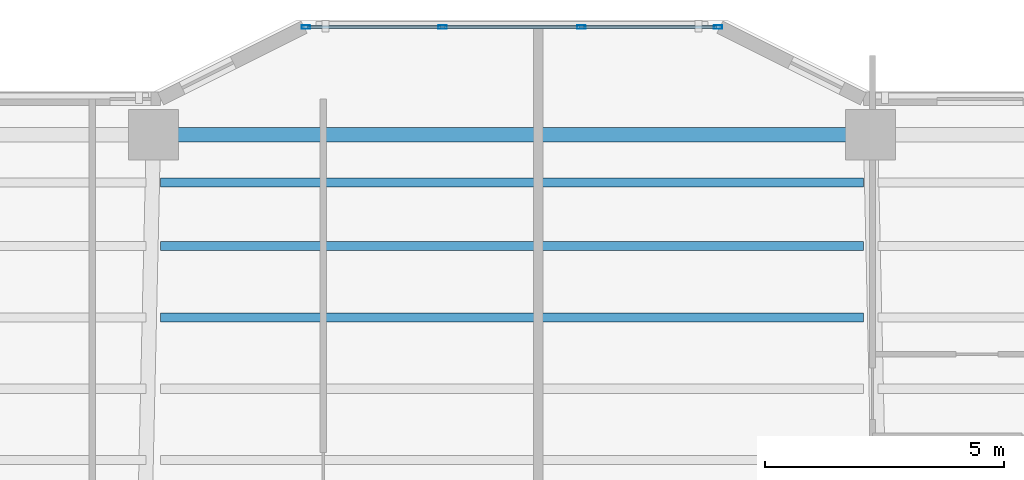
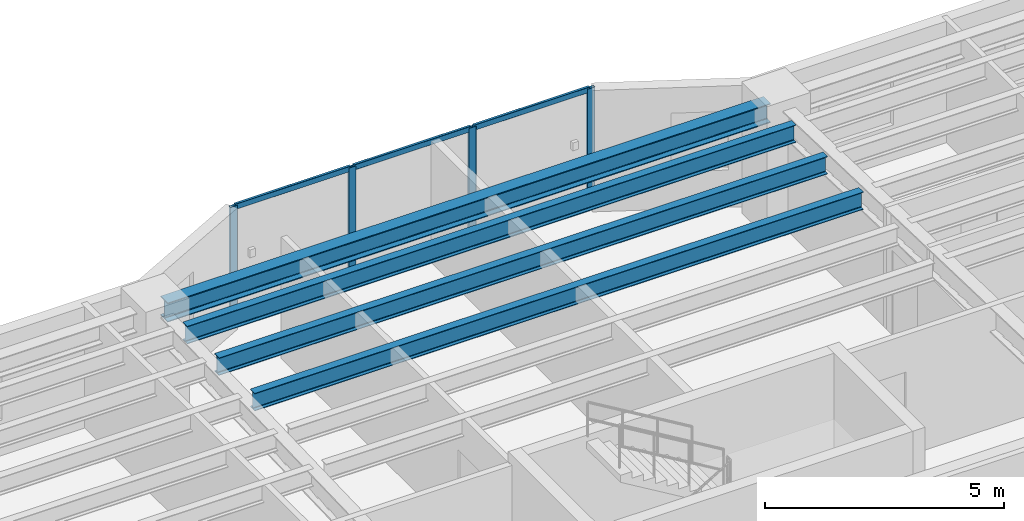
# One storey, part 4 of 18: 10 members, 4 beams, 1 element without a shape of its own.
"""IFC4 building model written with IfcOpenShell, lengths in metres."""

import ifcopenshell
import ifcopenshell.guid

model = None  # the IFC model being written
_history = None  # IfcOwnerHistory: only IFC2X3 demands one
_inside = {}  # id of a spatial element -> (the spatial element, [elements in it])
_under = {}  # id of a project, library or spatial element -> (it, [spatial elements below it])
_declared = {}  # id of a project -> (the project, [libraries it declares])
_typed = {}  # id of a type object -> (the type object, [elements of that type])
_made_of = {}  # id of a material, layer set ... -> (it, [elements and type objects made of it])


def new_model(schema):
    """Start an empty IFC model of exactly this schema.

    Asked for "IFC4X3", IfcOpenShell would pick the latest addendum, in which some entities
    have other attributes; the version numbers below select the first issue.
    IFC2X3 requires an IfcOwnerHistory on every rooted entity: one is made here for all.
    """
    global model, _history
    if schema == "IFC4X3":
        model = ifcopenshell.file(schema_version=(4, 3, 0, 0))
    else:
        model = ifcopenshell.file(schema=schema)
    _inside.clear()
    _under.clear()
    _declared.clear()
    _typed.clear()
    _made_of.clear()
    _history = None
    if model.schema == "IFC2X3":
        org = make("IfcOrganization", Name="unknown")
        user = make(
            "IfcPersonAndOrganization",
            ThePerson=make("IfcPerson", FamilyName="unknown"),
            TheOrganization=org,
        )
        app = make(
            "IfcApplication",
            ApplicationDeveloper=org,
            Version="unknown",
            ApplicationFullName="unknown",
            ApplicationIdentifier="unknown",
        )
        _history = make(
            "IfcOwnerHistory",
            OwningUser=user,
            OwningApplication=app,
            ChangeAction="ADDED",
            CreationDate=0,
        )
    return model


def make(cls, **values):
    """One entity of the class cls with the attributes given. An attribute that is None is left unset."""
    return model.create_entity(
        cls, **{name: value for name, value in values.items() if value is not None}
    )


def rooted(cls, **values):
    """An entity with a GlobalId (a new one), such as an element, a storey or a relation."""
    return make(cls, GlobalId=ifcopenshell.guid.new(), OwnerHistory=_history, **values)


def si_unit(unit_type, name, prefix=None):
    """IfcSIUnit, for example si_unit("LENGTHUNIT", "METRE", prefix="MILLI")."""
    return make("IfcSIUnit", UnitType=unit_type, Prefix=prefix, Name=name)


def assignment(units):
    """IfcUnitAssignment: the units of a project."""
    return None if units is None else make("IfcUnitAssignment", Units=units)


def point(xyz):
    """IfcCartesianPoint."""
    return None if xyz is None else make("IfcCartesianPoint", Coordinates=xyz)


def direction(xyz):
    """IfcDirection."""
    return None if xyz is None else make("IfcDirection", DirectionRatios=xyz)


def frame(location, z_axis=None, x_axis=None):
    """IfcAxis2Placement3D, a coordinate frame: its origin and axes. An axis left out is left unset."""
    return make(
        "IfcAxis2Placement3D",
        Location=point(location),
        Axis=direction(z_axis),
        RefDirection=direction(x_axis),
    )


def frame_2d(location, x_axis=None):
    """IfcAxis2Placement2D, a coordinate frame in the plane: its origin and x axis."""
    return make(
        "IfcAxis2Placement2D", Location=point(location), RefDirection=direction(x_axis)
    )


def origin():
    """The frame at (0, 0, 0) with its axes left unset."""
    return frame((0.0, 0.0, 0.0))


def origin_2d():
    """The frame at (0, 0) in the plane with its x axis left unset."""
    return frame_2d((0.0, 0.0))


def place(relative_to, where):
    """IfcLocalPlacement: puts the frame where relative to a parent placement (None: the world)."""
    return make(
        "IfcLocalPlacement", PlacementRelTo=relative_to, RelativePlacement=where
    )


def context(
    kind, dimensions, precision=None, world=None, true_north=None, identifier=None
):
    """IfcGeometricRepresentationContext, for example the 3D "Model" context."""
    return make(
        "IfcGeometricRepresentationContext",
        ContextIdentifier=identifier,
        ContextType=kind,
        CoordinateSpaceDimension=dimensions,
        Precision=precision,
        WorldCoordinateSystem=world,
        TrueNorth=true_north,
    )


def subcontext(parent, identifier, kind, view, scale=None):
    """IfcGeometricRepresentationSubContext, for example "Body" below "Model"."""
    return make(
        "IfcGeometricRepresentationSubContext",
        ContextIdentifier=identifier,
        ContextType=kind,
        ParentContext=parent,
        TargetScale=scale,
        TargetView=view,
    )


def project(units=None, contexts=None):
    """IfcProject with its units and contexts."""
    return rooted(
        "IfcProject",
        Name="project",
        RepresentationContexts=contexts,
        UnitsInContext=assignment(units),
    )


def spatial(cls, under=None, at=None, **own):
    """A site, building, storey or space (cls), placed at a placement, below another one or the project."""
    s = rooted(cls, ObjectPlacement=at, **own)
    if under is not None:
        _under.setdefault(under.id(), (under, []))[1].append(s)
    return s


def profile(cls, at=None, kind="AREA", **sizes):
    """A parametric profile (cls). Its sizes go by their IFC names, for example OverallWidth=200.0."""
    return make(cls, ProfileType=kind, Position=at, **sizes)


def hollow_rectangle(**sizes):
    """IfcRectangleHollowProfileDef."""
    return profile("IfcRectangleHollowProfileDef", **sizes)


def i_section(**sizes):
    """IfcIShapeProfileDef."""
    return profile("IfcIShapeProfileDef", **sizes)


def extrude(swept, where, along, depth):
    """IfcExtrudedAreaSolid: the profile swept, set in the frame where, extruded along a direction by depth."""
    return make(
        "IfcExtrudedAreaSolid",
        SweptArea=swept,
        Position=where,
        ExtrudedDirection=direction(along),
        Depth=depth,
    )


def shape(context_of_items, identifier, shape_type, items):
    """IfcShapeRepresentation: the items that make up one representation, for example the "Body"."""
    return make(
        "IfcShapeRepresentation",
        ContextOfItems=context_of_items,
        RepresentationIdentifier=identifier,
        RepresentationType=shape_type,
        Items=items,
    )


def material(Name=None, Category=None):
    """IfcMaterial."""
    return make("IfcMaterial", Name=Name, Category=Category)


def layer(
    of_material, thickness, ventilated=None, Name=None, Category=None, Priority=None
):
    """IfcMaterialLayer: one layer of a wall or slab, of a material (None: an air gap)."""
    return make(
        "IfcMaterialLayer",
        Material=of_material,
        LayerThickness=thickness,
        IsVentilated=ventilated,
        Name=Name,
        Category=Category,
        Priority=Priority,
    )


def layer_set(layers, Name=None):
    """IfcMaterialLayerSet."""
    return make("IfcMaterialLayerSet", MaterialLayers=layers, LayerSetName=Name)


def material_profile(
    of_material, cross_section, Name=None, Category=None, Priority=None
):
    """IfcMaterialProfile: a cross section and its material."""
    return make(
        "IfcMaterialProfile",
        Name=Name,
        Material=of_material,
        Profile=cross_section,
        Priority=Priority,
        Category=Category,
    )


def profile_set(profiles, Name=None, composite=None):
    """IfcMaterialProfileSet."""
    return make(
        "IfcMaterialProfileSet",
        Name=Name,
        MaterialProfiles=profiles,
        CompositeProfile=composite,
    )


def made_of(thing, what):
    """Note that an element or type object is made of a material, layer set ...; save() writes the relation."""
    if what is not None:
        _made_of.setdefault(what.id(), (what, []))[1].append(thing)
    return thing


def type_object(cls, material=None, **own):
    """A type object (cls), such as IfcWallType, which elements share."""
    return made_of(rooted(cls, **own), material)


def element(
    cls,
    number,
    at=None,
    inside=None,
    cuts=None,
    type_object=None,
    material=None,
    context=None,
    identifier="Body",
    shape_type=None,
    held_by="IfcProductDefinitionShape",
    body=None,
    shapes=None,
    **own,
):
    """One element of the class cls, such as IfcWall. Its Tag is "e" and its number.

    at: its placement. inside: the storey or other place that contains it. cuts: it is an
    opening in that element (IfcRelVoidsElement). A single representation is given by context,
    identifier, shape_type and body (its items); several are given by shapes. held_by: the class
    of the entity that holds the representations. save() writes the other relations.
    """
    e = rooted(cls, Tag="e%d" % number, ObjectPlacement=at, **own)
    if body is not None:
        shapes = [shape(context, identifier, shape_type, body)]
    if shapes is not None:
        e.Representation = make(held_by, Representations=shapes)
    if inside is not None:
        _inside.setdefault(inside.id(), (inside, []))[1].append(e)
    if cuts is not None:
        rooted(
            "IfcRelVoidsElement", RelatingBuildingElement=cuts, RelatedOpeningElement=e
        )
    if type_object is not None:
        _typed.setdefault(type_object.id(), (type_object, []))[1].append(e)
    return made_of(e, material)


def aggregate(whole, parts):
    """IfcRelAggregates: a whole, such as a stair, and the parts it consists of."""
    return rooted("IfcRelAggregates", RelatingObject=whole, RelatedObjects=parts)


def save(model, path):
    """Write the relations noted so far, then the file.

    IfcRelAggregates (storeys below a building ...), IfcRelContainedInSpatialStructure (elements
    in a storey), IfcRelDefinesByType, IfcRelAssociatesMaterial and IfcRelDeclares: one each for
    every whole, place, type object, material and project.
    """
    for whole, parts in _under.values():
        aggregate(whole, parts)
    for where, things in _inside.values():
        rooted(
            "IfcRelContainedInSpatialStructure",
            RelatedElements=things,
            RelatingStructure=where,
        )
    for kind, things in _typed.values():
        rooted("IfcRelDefinesByType", RelatedObjects=things, RelatingType=kind)
    for what, things in _made_of.values():
        rooted("IfcRelAssociatesMaterial", RelatedObjects=things, RelatingMaterial=what)
    for by, libraries in _declared.values():
        rooted("IfcRelDeclares", RelatingContext=by, RelatedDefinitions=libraries)
    model.write(path)


model = new_model("IFC4")

# Units and contexts
model_context = context("Model", 3, precision=1e-05, world=origin(), true_north=direction((0.0, 1.0)))
body_context = subcontext(model_context, "Body", "Model", "MODEL_VIEW")
ifc_project = project(units=[si_unit("LENGTHUNIT", "METRE"), si_unit("AREAUNIT", "SQUARE_METRE"), si_unit("VOLUMEUNIT", "CUBIC_METRE"), si_unit("PLANEANGLEUNIT", "RADIAN"), si_unit("MASSUNIT", "GRAM", prefix="KILO")], contexts=[model_context])

# Site, building, storey
site_placement = place(None, origin())
site = spatial("IfcSite", under=ifc_project, at=site_placement, CompositionType="ELEMENT")
building_placement = place(site_placement, origin())
building = spatial("IfcBuilding", under=site, at=building_placement, Name="Tarnavaz Court Tower", CompositionType="ELEMENT")
storey_placement = place(building_placement, frame((0.0, 0.0, 88.35009765625)))
storey = spatial("IfcBuildingStorey", under=building, at=storey_placement, Name="L23", CompositionType="ELEMENT", Elevation=88.35009765625)

# Beams
ifc_material_1 = material(Name="Steel S355", Category="steel")
ifc_material_profile_1 = material_profile(ifc_material_1, i_section(OverallWidth=0.18994140625, OverallDepth=0.449951171875, WebThickness=0.009521484375, FlangeThickness=0.0146484375, FilletRadius=0.02099609375, at=origin_2d()), Name="IPE 450")
ifc_profile_set_1 = profile_set([ifc_material_profile_1], Name="Steel S355")
beam_type_1 = type_object("IfcBeamType", Name="BM-J-IPE450", PredefinedType="JOIST", material=ifc_profile_set_1)
for number, where, z_axis, x_axis, name in (
    (1, (-7.35009765625, 17.48193359375, 2.875), (1.0, 0.0, 0.0), (0.0, 1.0, 0.0), "L23 Beam JN3-2"),
    (2, (-7.35009765625, 18.97607421875, 2.875), (1.0, 0.0, 0.0), (0.0, 1.0, 0.0), "L23 Beam JN4-2"),
    (3, (-7.35009765625, 20.303955078125, 2.875), (1.0, 0.0, 0.0), (0.0, 1.0, 0.0), "L23 Beam JN5-2"),
):
    element("IfcBeam", number, at=place(storey_placement, frame(where, z_axis=z_axis, x_axis=x_axis)), inside=storey, type_object=beam_type_1, Name=name, PredefinedType="JOIST", context=body_context, shape_type="SweptSolid", body=[
        extrude(i_section(OverallWidth=0.18994140625, OverallDepth=0.449951171875, WebThickness=0.009521484375, FlangeThickness=0.0146484375, FilletRadius=0.02099609375, at=origin_2d()), origin(), (0.0, 0.0, 1.0), 14.7001953125),
    ])
ifc_material_profile_2 = material_profile(ifc_material_1, i_section(OverallWidth=0.300048828125, OverallDepth=0.489990234375, WebThickness=0.011962890625, FlangeThickness=0.02294921875, FilletRadius=0.027099609375, at=origin_2d()), Name="HEA 500")
ifc_profile_set_2 = profile_set([ifc_material_profile_2], Name="Steel S355")
beam_type_2 = type_object("IfcBeamType", Name="BM-SP-HEA500", PredefinedType="SPANDREL", material=ifc_profile_set_2)
beam_placement = place(storey_placement, frame((-7.280029296875, 21.300048828125, 2.85498046875), z_axis=(1.0, 0.0, 0.0), x_axis=(0.0, 1.0, 0.0)))
element("IfcBeam", 4, at=beam_placement, inside=storey, type_object=beam_type_2, Name="L23 Beam PR-PN-2-PN-3", PredefinedType="SPANDREL", context=body_context, shape_type="SweptSolid", body=[
    extrude(i_section(OverallWidth=0.300048828125, OverallDepth=0.489990234375, WebThickness=0.011962890625, FlangeThickness=0.02294921875, FilletRadius=0.027099609375, at=origin_2d()), origin(), (0.0, 0.0, 1.0), 14.56005859375),
])

# Curtain wall, members
ifc_material_2 = material(Name="Anodised Aluminium 6063-T6 and Solar Low-E Glazing", Category="aluminium")
ifc_layer = layer(ifc_material_2, 0.179931640625)
ifc_layer_set = layer_set([ifc_layer], Name="Anodised Aluminium 6063-T6 and Solar Low-E Glazing")
curtain_wall_type = type_object("IfcCurtainWallType", Name="CW-SYS-02", PredefinedType="NOTDEFINED", material=ifc_layer_set)
curtain_wall_placement = place(storey_placement, origin())
curtain_wall = element("IfcCurtainWall", 5, at=curtain_wall_placement, inside=storey, type_object=curtain_wall_type, Name="L23 Iwan Prow Curtain Wall 7", PredefinedType="NOTDEFINED")
ifc_material_3 = material(Name="Anodised Aluminium 6063-T6", Category="aluminium")
ifc_material_profile_3 = material_profile(ifc_material_3, hollow_rectangle(XDim=0.074951171875, YDim=0.179931640625, WallThickness=0.0048828125, InnerFilletRadius=0.0048828125, OuterFilletRadius=0.010009765625, at=origin_2d()), Name="ALU RHS 180X75X5")
ifc_profile_set_3 = profile_set([ifc_material_profile_3], Name="Anodised Aluminium 6063-T6")
member_type_1 = type_object("IfcMemberType", Name="CW-MUL-180", PredefinedType="MULLION", material=ifc_profile_set_3)
member_1_placement = place(storey_placement, frame((-4.3125, 23.550048828125, 0.0), z_axis=(0.0, 0.0, 1.0), x_axis=(0.0, 1.0, 0.0)))
member_1 = element("IfcMember", 6, at=member_1_placement, type_object=member_type_1, Name="CW mullion 1", PredefinedType="MULLION", context=body_context, shape_type="SweptSolid", body=[
    extrude(hollow_rectangle(XDim=0.074951171875, YDim=0.179931640625, WallThickness=0.0048828125, InnerFilletRadius=0.0048828125, OuterFilletRadius=0.010009765625, at=origin_2d()), origin(), (0.0, 0.0, 1.0), 3.099853515625),
])
member_2_placement = place(storey_placement, frame((-1.449951171875, 23.550048828125, 0.0), z_axis=(0.0, 0.0, 1.0), x_axis=(0.0, 1.0, 0.0)))
member_2 = element("IfcMember", 7, at=member_2_placement, type_object=member_type_1, Name="CW mullion 2", PredefinedType="MULLION", context=body_context, shape_type="SweptSolid", body=[
    extrude(hollow_rectangle(XDim=0.074951171875, YDim=0.179931640625, WallThickness=0.0048828125, InnerFilletRadius=0.0048828125, OuterFilletRadius=0.010009765625, at=origin_2d()), origin(), (0.0, 0.0, 1.0), 3.099853515625),
])
member_3_placement = place(storey_placement, frame((1.449951171875, 23.550048828125, 0.0), z_axis=(0.0, 0.0, 1.0), x_axis=(0.0, 1.0, 0.0)))
member_3 = element("IfcMember", 8, at=member_3_placement, type_object=member_type_1, Name="CW mullion 3", PredefinedType="MULLION", context=body_context, shape_type="SweptSolid", body=[
    extrude(hollow_rectangle(XDim=0.074951171875, YDim=0.179931640625, WallThickness=0.0048828125, InnerFilletRadius=0.0048828125, OuterFilletRadius=0.010009765625, at=origin_2d()), origin(), (0.0, 0.0, 1.0), 3.099853515625),
])
member_4_placement = place(storey_placement, frame((4.3125, 23.550048828125, 0.0), z_axis=(0.0, 0.0, 1.0), x_axis=(0.0, 1.0, 0.0)))
member_4 = element("IfcMember", 9, at=member_4_placement, type_object=member_type_1, Name="CW mullion 4", PredefinedType="MULLION", context=body_context, shape_type="SweptSolid", body=[
    extrude(hollow_rectangle(XDim=0.074951171875, YDim=0.179931640625, WallThickness=0.0048828125, InnerFilletRadius=0.0048828125, OuterFilletRadius=0.010009765625, at=origin_2d()), origin(), (0.0, 0.0, 1.0), 3.099853515625),
])
ifc_material_profile_4 = material_profile(ifc_material_3, hollow_rectangle(XDim=0.06494140625, YDim=0.139892578125, WallThickness=0.00390625, InnerFilletRadius=0.00390625, OuterFilletRadius=0.008056640625, at=origin_2d()), Name="ALU RHS 140X65X4")
ifc_profile_set_4 = profile_set([ifc_material_profile_4], Name="Anodised Aluminium 6063-T6")
member_type_2 = type_object("IfcMemberType", Name="CW-TRN-140", PredefinedType="USERDEFINED", material=ifc_profile_set_4)
member_5_placement = place(storey_placement, frame((-4.27490234375, 23.550048828125, 0.032470703125), z_axis=(1.0, 0.0, 0.0), x_axis=(0.0, 1.0, 0.0)))
member_5 = element("IfcMember", 10, at=member_5_placement, type_object=member_type_2, Name="CW transom 1.1", ObjectType="TRANSOM", PredefinedType="USERDEFINED", context=body_context, shape_type="SweptSolid", body=[
    extrude(hollow_rectangle(XDim=0.06494140625, YDim=0.139892578125, WallThickness=0.00390625, InnerFilletRadius=0.00390625, OuterFilletRadius=0.008056640625, at=origin_2d()), origin(), (0.0, 0.0, 1.0), 2.787353515625),
])
member_6_placement = place(storey_placement, frame((-4.27490234375, 23.550048828125, 3.0673828125), z_axis=(1.0, 0.0, 0.0), x_axis=(0.0, 1.0, 0.0)))
member_6 = element("IfcMember", 11, at=member_6_placement, type_object=member_type_2, Name="CW transom 1.2", ObjectType="TRANSOM", PredefinedType="USERDEFINED", context=body_context, shape_type="SweptSolid", body=[
    extrude(hollow_rectangle(XDim=0.06494140625, YDim=0.139892578125, WallThickness=0.00390625, InnerFilletRadius=0.00390625, OuterFilletRadius=0.008056640625, at=origin_2d()), origin(), (0.0, 0.0, 1.0), 2.787353515625),
])
member_7_placement = place(storey_placement, frame((-1.41259765625, 23.550048828125, 0.032470703125), z_axis=(1.0, 0.0, 0.0), x_axis=(0.0, 1.0, 0.0)))
member_7 = element("IfcMember", 12, at=member_7_placement, type_object=member_type_2, Name="CW transom 2.1", ObjectType="TRANSOM", PredefinedType="USERDEFINED", context=body_context, shape_type="SweptSolid", body=[
    extrude(hollow_rectangle(XDim=0.06494140625, YDim=0.139892578125, WallThickness=0.00390625, InnerFilletRadius=0.00390625, OuterFilletRadius=0.008056640625, at=origin_2d()), origin(), (0.0, 0.0, 1.0), 2.8251953125),
])
member_8_placement = place(storey_placement, frame((-1.41259765625, 23.550048828125, 3.0673828125), z_axis=(1.0, 0.0, 0.0), x_axis=(0.0, 1.0, 0.0)))
member_8 = element("IfcMember", 13, at=member_8_placement, type_object=member_type_2, Name="CW transom 2.2", ObjectType="TRANSOM", PredefinedType="USERDEFINED", context=body_context, shape_type="SweptSolid", body=[
    extrude(hollow_rectangle(XDim=0.06494140625, YDim=0.139892578125, WallThickness=0.00390625, InnerFilletRadius=0.00390625, OuterFilletRadius=0.008056640625, at=origin_2d()), origin(), (0.0, 0.0, 1.0), 2.8251953125),
])
member_9_placement = place(storey_placement, frame((1.487548828125, 23.550048828125, 0.032470703125), z_axis=(1.0, 0.0, 0.0), x_axis=(0.0, 1.0, 0.0)))
member_9 = element("IfcMember", 14, at=member_9_placement, type_object=member_type_2, Name="CW transom 3.1", ObjectType="TRANSOM", PredefinedType="USERDEFINED", context=body_context, shape_type="SweptSolid", body=[
    extrude(hollow_rectangle(XDim=0.06494140625, YDim=0.139892578125, WallThickness=0.00390625, InnerFilletRadius=0.00390625, OuterFilletRadius=0.008056640625, at=origin_2d()), origin(), (0.0, 0.0, 1.0), 2.787353515625),
])
member_10_placement = place(storey_placement, frame((1.487548828125, 23.550048828125, 3.0673828125), z_axis=(1.0, 0.0, 0.0), x_axis=(0.0, 1.0, 0.0)))
member_10 = element("IfcMember", 15, at=member_10_placement, type_object=member_type_2, Name="CW transom 3.2", ObjectType="TRANSOM", PredefinedType="USERDEFINED", context=body_context, shape_type="SweptSolid", body=[
    extrude(hollow_rectangle(XDim=0.06494140625, YDim=0.139892578125, WallThickness=0.00390625, InnerFilletRadius=0.00390625, OuterFilletRadius=0.008056640625, at=origin_2d()), origin(), (0.0, 0.0, 1.0), 2.787353515625),
])
aggregate(curtain_wall, [member_1, member_2, member_3, member_4, member_5, member_6, member_7, member_8, member_9, member_10])

save(model, "model.ifc")
